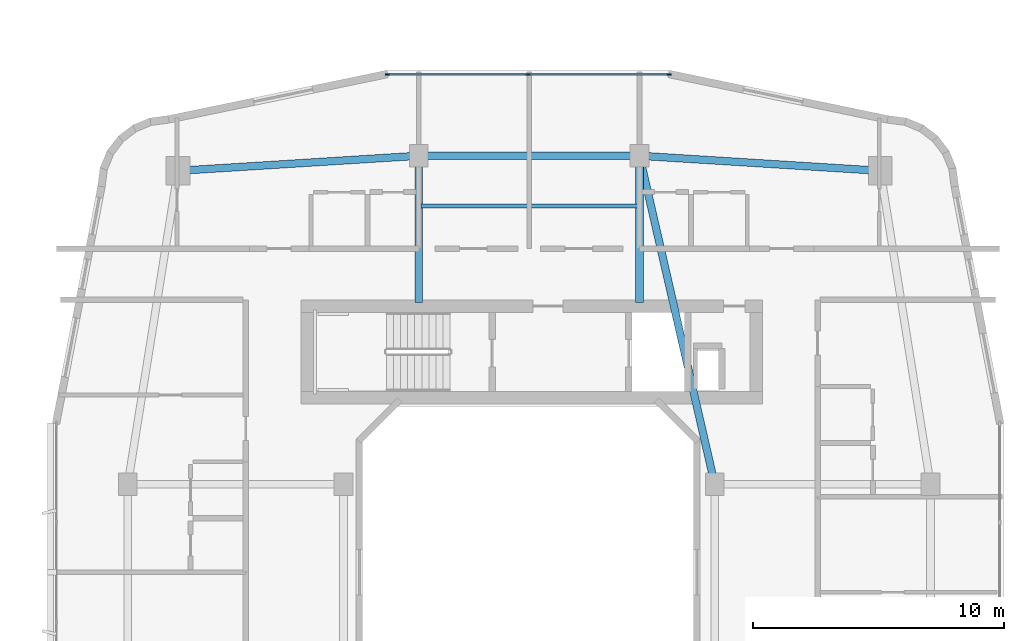
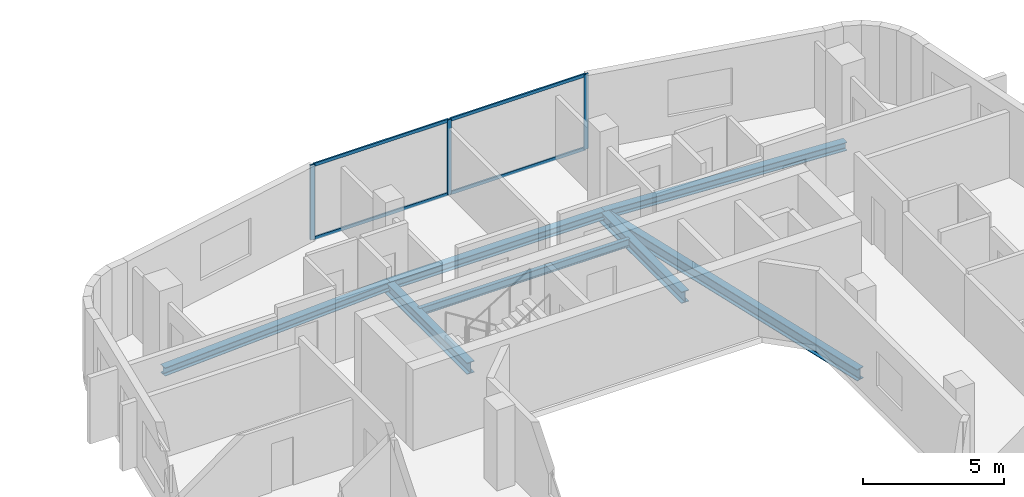
# One storey, part 11 of 26: 7 beams, 7 members, 1 element without a shape of its own.
"""IFC4 building model written with IfcOpenShell, lengths in metres."""

from ifc_helpers import new_model, si_unit, derived_unit, direction, frame, origin, origin_2d, place, context, subcontext, project, spatial, rectangle, i_section, extrude, material, layer, layer_set, material_profile, profile_set, type_object, element, aggregate, save


model = new_model("IFC4")

# Units and contexts
model_context = context("Model", 3, precision=1e-05, world=origin(), true_north=direction((0.0, 1.0)))
body_context = subcontext(model_context, "Body", "Model", "MODEL_VIEW")
ifc_project = project(units=[si_unit("LENGTHUNIT", "METRE"), si_unit("AREAUNIT", "SQUARE_METRE"), si_unit("VOLUMEUNIT", "CUBIC_METRE"), si_unit("PLANEANGLEUNIT", "RADIAN"), si_unit("MASSUNIT", "GRAM", prefix="KILO"), derived_unit("THERMALTRANSMITTANCEUNIT", [(si_unit("POWERUNIT", "WATT"), 1), (si_unit("LENGTHUNIT", "METRE"), -2), (si_unit("THERMODYNAMICTEMPERATUREUNIT", "KELVIN"), -1)])], contexts=[model_context])

# Site, building, storey
site_placement = place(None, origin())
site = spatial("IfcSite", under=ifc_project, at=site_placement, CompositionType="ELEMENT")
building_placement = place(site_placement, origin())
building = spatial("IfcBuilding", under=site, at=building_placement, Name="Kivonza Crest Hotel", CompositionType="ELEMENT")
storey_placement = place(building_placement, frame((0.0, 0.0, 66.0)))
storey = spatial("IfcBuildingStorey", under=building, at=storey_placement, Name="L17", CompositionType="ELEMENT", Elevation=66.0)

# Beams
ifc_material_1 = material(Name="Steel S355", Category="steel")
ifc_material_profile_1 = material_profile(ifc_material_1, i_section(OverallWidth=0.300048828125, OverallDepth=0.360107421875, WebThickness=0.012451171875, FlangeThickness=0.0224609375, FilletRadius=0.027099609375, at=origin_2d()), Name="HEB 360")
ifc_profile_set_1 = profile_set([ifc_material_profile_1], Name="Steel S355")
beam_type_1 = type_object("IfcBeamType", Name="BM-HEB360", PredefinedType="SPANDREL", material=ifc_profile_set_1)
beam_1_placement = place(storey_placement, frame((91.0, 41.0, -0.429931640625), z_axis=(-0.998051985873, 0.062387767186, 0.0), x_axis=(-0.062387767186, -0.998051985873, 0.0)))
element("IfcBeam", 1, at=beam_1_placement, inside=storey, type_object=beam_type_1, Name="Companion Tower T2 L17 perimeter spandrel NE-N2", PredefinedType="SPANDREL", context=body_context, shape_type="SweptSolid", body=[
    extrude(i_section(OverallWidth=0.300048828125, OverallDepth=0.360107421875, WebThickness=0.012451171875, FlangeThickness=0.0224609375, FilletRadius=0.027099609375, at=origin_2d()), origin(), (0.0, 0.0, 1.0), 9.618896484375),
])
beam_2_placement = place(storey_placement, frame((81.39990234375, 41.60009765625, -0.429931640625), z_axis=(-1.0, 0.0, 0.0), x_axis=(0.0, -1.0, 0.0)))
element("IfcBeam", 2, at=beam_2_placement, inside=storey, type_object=beam_type_1, Name="Companion Tower T2 L17 perimeter spandrel N2-N1", PredefinedType="SPANDREL", context=body_context, shape_type="SweptSolid", body=[
    extrude(i_section(OverallWidth=0.300048828125, OverallDepth=0.360107421875, WebThickness=0.012451171875, FlangeThickness=0.0224609375, FilletRadius=0.027099609375, at=origin_2d()), origin(), (0.0, 0.0, 1.0), 8.7998046875),
])
beam_3_placement = place(storey_placement, frame((72.60009765625, 41.60009765625, -0.429931640625), z_axis=(-0.998051985873, -0.062387767186, 0.0), x_axis=(0.062387767186, -0.998051985873, 0.0)))
element("IfcBeam", 3, at=beam_3_placement, inside=storey, type_object=beam_type_1, Name="Companion Tower T2 L17 perimeter spandrel N1-NW", PredefinedType="SPANDREL", context=body_context, shape_type="SweptSolid", body=[
    extrude(i_section(OverallWidth=0.300048828125, OverallDepth=0.360107421875, WebThickness=0.012451171875, FlangeThickness=0.0224609375, FilletRadius=0.027099609375, at=origin_2d()), origin(), (0.0, 0.0, 1.0), 9.618896484375),
])
ifc_material_profile_2 = material_profile(ifc_material_1, i_section(OverallWidth=0.300048828125, OverallDepth=0.5, WebThickness=0.014404296875, FlangeThickness=0.028076171875, FilletRadius=0.027099609375, at=origin_2d()), Name="HEB 500")
ifc_profile_set_2 = profile_set([ifc_material_profile_2], Name="Steel S355")
beam_type_2 = type_object("IfcBeamType", Name="BM-HEB500", PredefinedType="BEAM", material=ifc_profile_set_2)
beam_4_placement = place(storey_placement, frame((84.39990234375, 28.5, -0.5), z_axis=(-0.223227287589, 0.974766422317, 0.0), x_axis=(-0.974766422317, -0.223227287589, 0.0)))
element("IfcBeam", 4, at=beam_4_placement, inside=storey, type_object=beam_type_2, Name="Companion Tower T2 L17 girder WR2-N2", PredefinedType="BEAM", context=body_context, shape_type="SweptSolid", body=[
    extrude(i_section(OverallWidth=0.300048828125, OverallDepth=0.5, WebThickness=0.014404296875, FlangeThickness=0.028076171875, FilletRadius=0.027099609375, at=origin_2d()), origin(), (0.0, 0.0, 1.0), 13.439208984375),
])
for number, where, z_axis, x_axis, name in (
    (5, (72.60009765625, 41.60009765625, -0.5), (0.0, -1.0, 0.0), (1.0, 0.0, 0.0), "Companion T2 L17 radial core girder RN1"),
    (6, (81.39990234375, 41.60009765625, -0.5), (0.0, -1.0, 0.0), (1.0, 0.0, 0.0), "Companion T2 L17 radial core girder RN2"),
):
    element("IfcBeam", number, at=place(storey_placement, frame(where, z_axis=z_axis, x_axis=x_axis)), inside=storey, type_object=beam_type_2, Name=name, PredefinedType="BEAM", context=body_context, shape_type="SweptSolid", body=[
        extrude(i_section(OverallWidth=0.300048828125, OverallDepth=0.5, WebThickness=0.014404296875, FlangeThickness=0.028076171875, FilletRadius=0.027099609375, at=origin_2d()), origin(), (0.0, 0.0, 1.0), 5.85009765625),
    ])
ifc_material_profile_3 = material_profile(ifc_material_1, i_section(OverallWidth=0.159912109375, OverallDepth=0.330078125, WebThickness=0.007568359375, FlangeThickness=0.011474609375, FilletRadius=0.01806640625, at=origin_2d()), Name="IPE 330")
ifc_profile_set_3 = profile_set([ifc_material_profile_3], Name="Steel S355")
beam_type_3 = type_object("IfcBeamType", Name="BM-IPE330", PredefinedType="JOIST", material=ifc_profile_set_3)
beam_5_placement = place(storey_placement, frame((72.679931640625, 39.60009765625, -0.4150390625), z_axis=(1.0, 0.0, 0.0), x_axis=(0.0, 1.0, 0.0)))
element("IfcBeam", 7, at=beam_5_placement, inside=storey, type_object=beam_type_3, Name="Companion Tower T2 L17 North floor joist", PredefinedType="JOIST", context=body_context, shape_type="SweptSolid", body=[
    extrude(i_section(OverallWidth=0.159912109375, OverallDepth=0.330078125, WebThickness=0.007568359375, FlangeThickness=0.011474609375, FilletRadius=0.01806640625, at=origin_2d()), origin(), (0.0, 0.0, 1.0), 8.64013671875),
])

# Curtain wall, members
ifc_material_2 = material(Name="Anodised bronze aluminium and low-E double glazing", Category="aluminium")
ifc_layer = layer(ifc_material_2, 0.179931640625)
ifc_layer_set = layer_set([ifc_layer], Name="Anodised bronze aluminium and low-E double glazing")
curtain_wall_type = type_object("IfcCurtainWallType", Name="CW-SYS-4", PredefinedType="NOTDEFINED", material=ifc_layer_set)
curtain_wall_placement = place(storey_placement, origin())
curtain_wall = element("IfcCurtainWall", 8, at=curtain_wall_placement, inside=storey, type_object=curtain_wall_type, Name="L17 unitised curtain wall CW-T2-L17-26", PredefinedType="NOTDEFINED")
ifc_material_3 = material(Name="Anodised bronze aluminium", Category="aluminium")
ifc_material_profile_4 = material_profile(ifc_material_3, rectangle(XDim=0.06494140625, YDim=0.179931640625, at=origin_2d()), Name="CW-M 65x180")
ifc_profile_set_4 = profile_set([ifc_material_profile_4], Name="Anodised bronze aluminium")
member_type_1 = type_object("IfcMemberType", Name="CW-MUL-65x180", PredefinedType="MULLION", material=ifc_profile_set_4)
member_1_placement = place(storey_placement, frame((82.575439453125, 44.840087890625, 0.0), z_axis=(0.0, 0.0, 1.0), x_axis=(0.0, -1.0, 0.0)))
member_1 = element("IfcMember", 9, at=member_1_placement, type_object=member_type_1, Name="CW-4 mullion 1", PredefinedType="MULLION", context=body_context, shape_type="SweptSolid", body=[
    extrude(rectangle(XDim=0.06494140625, YDim=0.179931640625, at=origin_2d()), origin(), (0.0, 0.0, 1.0), 3.25),
])
member_2_placement = place(storey_placement, frame((76.9599609375, 44.840087890625, 0.0), z_axis=(0.0, 0.0, 1.0), x_axis=(0.0, -1.0, 0.0)))
member_2 = element("IfcMember", 10, at=member_2_placement, type_object=member_type_1, Name="CW-4 mullion 2", PredefinedType="MULLION", context=body_context, shape_type="SweptSolid", body=[
    extrude(rectangle(XDim=0.06494140625, YDim=0.179931640625, at=origin_2d()), origin(), (0.0, 0.0, 1.0), 3.25),
])
member_3_placement = place(storey_placement, frame((71.344482421875, 44.840087890625, 0.0), z_axis=(0.0, 0.0, 1.0), x_axis=(0.0, -1.0, 0.0)))
member_3 = element("IfcMember", 11, at=member_3_placement, type_object=member_type_1, Name="CW-4 mullion 3", PredefinedType="MULLION", context=body_context, shape_type="SweptSolid", body=[
    extrude(rectangle(XDim=0.06494140625, YDim=0.179931640625, at=origin_2d()), origin(), (0.0, 0.0, 1.0), 3.25),
])
ifc_material_profile_5 = material_profile(ifc_material_3, rectangle(XDim=0.06494140625, YDim=0.139892578125, at=origin_2d()), Name="CW-T 65x140")
ifc_profile_set_5 = profile_set([ifc_material_profile_5], Name="Anodised bronze aluminium")
member_type_2 = type_object("IfcMemberType", Name="CW-TRN-65x140", PredefinedType="USERDEFINED", material=ifc_profile_set_5)
member_4_placement = place(storey_placement, frame((82.54296875, 44.840087890625, 0.032470703125), z_axis=(-1.0, 0.0, 0.0), x_axis=(0.0, -1.0, 0.0)))
member_4 = element("IfcMember", 12, at=member_4_placement, type_object=member_type_2, Name="CW-4 transom 1.1", ObjectType="TRANSOM", PredefinedType="USERDEFINED", context=body_context, shape_type="SweptSolid", body=[
    extrude(rectangle(XDim=0.06494140625, YDim=0.139892578125, at=origin_2d()), origin(), (0.0, 0.0, 1.0), 5.550537109375),
])
member_5_placement = place(storey_placement, frame((82.54296875, 44.840087890625, 3.217529296875), z_axis=(-1.0, 0.0, 0.0), x_axis=(0.0, -1.0, 0.0)))
member_5 = element("IfcMember", 13, at=member_5_placement, type_object=member_type_2, Name="CW-4 transom 1.2", ObjectType="TRANSOM", PredefinedType="USERDEFINED", context=body_context, shape_type="SweptSolid", body=[
    extrude(rectangle(XDim=0.06494140625, YDim=0.139892578125, at=origin_2d()), origin(), (0.0, 0.0, 1.0), 5.550537109375),
])
member_6_placement = place(storey_placement, frame((76.927490234375, 44.840087890625, 0.032470703125), z_axis=(-1.0, 0.0, 0.0), x_axis=(0.0, -1.0, 0.0)))
member_6 = element("IfcMember", 14, at=member_6_placement, type_object=member_type_2, Name="CW-4 transom 2.1", ObjectType="TRANSOM", PredefinedType="USERDEFINED", context=body_context, shape_type="SweptSolid", body=[
    extrude(rectangle(XDim=0.06494140625, YDim=0.139892578125, at=origin_2d()), origin(), (0.0, 0.0, 1.0), 5.550537109375),
])
member_7_placement = place(storey_placement, frame((76.927490234375, 44.840087890625, 3.217529296875), z_axis=(-1.0, 0.0, 0.0), x_axis=(0.0, -1.0, 0.0)))
member_7 = element("IfcMember", 15, at=member_7_placement, type_object=member_type_2, Name="CW-4 transom 2.2", ObjectType="TRANSOM", PredefinedType="USERDEFINED", context=body_context, shape_type="SweptSolid", body=[
    extrude(rectangle(XDim=0.06494140625, YDim=0.139892578125, at=origin_2d()), origin(), (0.0, 0.0, 1.0), 5.550537109375),
])
aggregate(curtain_wall, [member_1, member_2, member_3, member_4, member_5, member_6, member_7])

save(model, "model.ifc")
